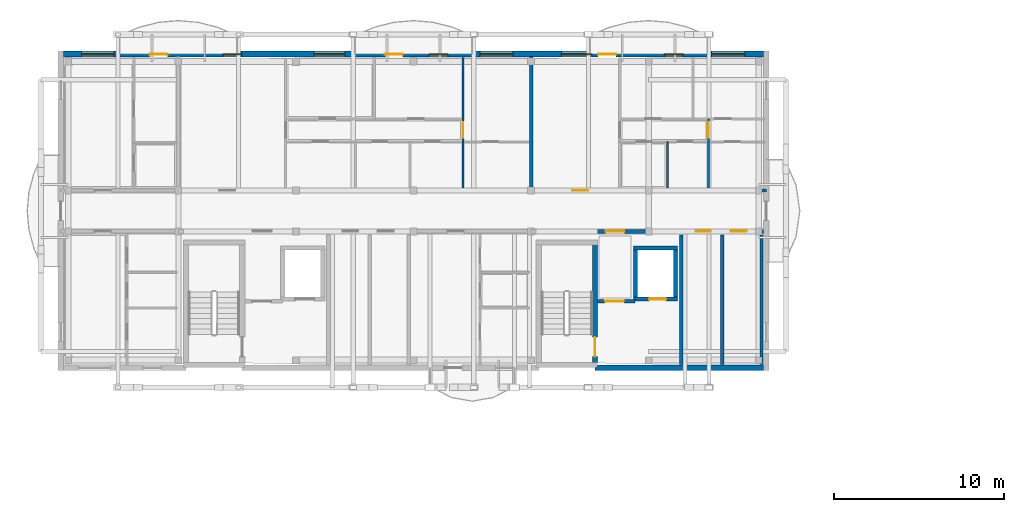
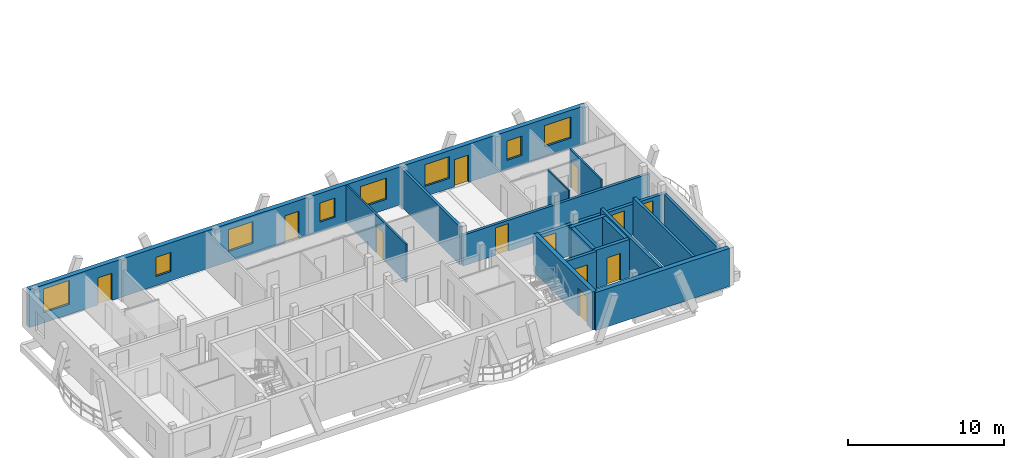
# One storey, part 15 of 21: 17 walls, 12 doors, 8 windows, 20 openings.
"""IFC4 building model written with IfcOpenShell, lengths in metres."""

from ifc_helpers import new_model, si_unit, direction, frame, frame_2d, origin, origin_with_axes, place, context, subcontext, project, spatial, rectangle, extrude, material, layer, layer_set, type_object, element, fill, save


model = new_model("IFC4")

# Units and contexts
model_context = context("Model", 3, precision=1e-05, world=origin(), true_north=direction((0.0, 1.0)))
body_context = subcontext(model_context, "Body", "Model", "MODEL_VIEW")
ifc_project = project(units=[si_unit("LENGTHUNIT", "METRE"), si_unit("AREAUNIT", "SQUARE_METRE"), si_unit("VOLUMEUNIT", "CUBIC_METRE"), si_unit("PLANEANGLEUNIT", "RADIAN"), si_unit("MASSUNIT", "GRAM", prefix="KILO")], contexts=[model_context])

# Site, building, storey
site_placement = place(None, origin())
site = spatial("IfcSite", under=ifc_project, at=site_placement, CompositionType="ELEMENT")
building_placement = place(site_placement, origin())
building = spatial("IfcBuilding", under=site, at=building_placement, Name="Zavelmont Quarter", CompositionType="ELEMENT")
storey_placement = place(building_placement, frame((0.0, 0.0, 36.800048828125)))
storey = spatial("IfcBuildingStorey", under=building, at=storey_placement, Name="L11", CompositionType="ELEMENT", Elevation=36.800048828125)

# Wall
ifc_material_1 = material(Name="Natural Belgian limestone", Category="masonry")
ifc_layer_1 = layer(ifc_material_1, 0.340087890625)
ifc_layer_set_1 = layer_set([ifc_layer_1], Name="Natural Belgian limestone")
wall_type_1 = type_object("IfcWallType", Name="EW03", PredefinedType="STANDARD", material=ifc_layer_set_1)
wall_1_placement = place(storey_placement, frame((31.35009765625, 97.60009765625, 0.0), z_axis=(0.0, 0.0, 1.0), x_axis=(1.0, 0.0, 0.0)))
element("IfcWall", 1, at=wall_1_placement, inside=storey, type_object=wall_type_1, Name="L11 exterior limestone wall EW03", PredefinedType="STANDARD", context=body_context, shape_type="SweptSolid", body=[
    extrude(rectangle(XDim=9.889892578125, YDim=0.340087890625, at=frame_2d((4.94482421875, 0.0))), origin(), (0.0, 0.0, 1.0), 2.969970703125),
])

# Wall, openings, doors, windows
wall_2_placement = place(storey_placement, frame((0.159912109375, 116.0, 0.0), z_axis=(0.0, 0.0, 1.0), x_axis=(1.0, 0.0, 0.0)))
wall_2 = element("IfcWall", 2, at=wall_2_placement, inside=storey, type_object=wall_type_1, Name="L11 exterior limestone wall EW03", PredefinedType="STANDARD", context=body_context, shape_type="SweptSolid", body=[
    extrude(rectangle(XDim=41.080078125, YDim=0.340087890625, at=frame_2d((20.5400390625, 0.0))), origin(), (0.0, 0.0, 1.0), 2.969970703125),
])
opening_1_placement = place(wall_2_placement, frame((5.06005859375, 0.0, 0.0)))
opening_1 = element("IfcOpeningElement", 3, at=opening_1_placement, cuts=wall_2, Name="Opening DR04A", PredefinedType="OPENING", context=body_context, shape_type="SweptSolid", body=[
    extrude(rectangle(XDim=1.050048828125, YDim=2.1201171875, at=frame_2d((0.52490234375, 1.06005859375))), frame((0.0, 0.18212890625, 0.0), z_axis=(0.0, -1.0, 0.0), x_axis=(1.0, 0.0, 0.0)), (0.0, 0.0, 1.0), 0.364013671875),
])
opening_2_placement = place(wall_2_placement, frame((18.860107421875, 0.0, 0.0)))
opening_2 = element("IfcOpeningElement", 4, at=opening_2_placement, cuts=wall_2, Name="Opening DR04A", PredefinedType="OPENING", context=body_context, shape_type="SweptSolid", body=[
    extrude(rectangle(XDim=1.050048828125, YDim=2.1201171875, at=frame_2d((0.52490234375, 1.06005859375))), frame((0.0, 0.18212890625, 0.0), z_axis=(0.0, -1.0, 0.0), x_axis=(1.0, 0.0, 0.0)), (0.0, 0.0, 1.0), 0.364013671875),
])
opening_3_placement = place(wall_2_placement, frame((31.37451171875, 0.0, 0.0)))
opening_3 = element("IfcOpeningElement", 5, at=opening_3_placement, cuts=wall_2, Name="Opening DR04A", PredefinedType="OPENING", context=body_context, shape_type="SweptSolid", body=[
    extrude(rectangle(XDim=1.050048828125, YDim=2.1201171875, at=frame_2d((0.52490234375, 1.06005859375))), frame((0.0, 0.18212890625, 0.0), z_axis=(0.0, -1.0, 0.0), x_axis=(1.0, 0.0, 0.0)), (0.0, 0.0, 1.0), 0.364013671875),
])
opening_4_placement = place(wall_2_placement, frame((1.06005859375, 0.0, 0.800048828125)))
opening_4 = element("IfcOpeningElement", 6, at=opening_4_placement, cuts=wall_2, Name="Opening WN20", PredefinedType="OPENING", context=body_context, shape_type="SweptSolid", body=[
    extrude(rectangle(XDim=1.89990234375, YDim=1.85009765625, at=frame_2d((0.949951171875, 0.925048828125))), frame((0.0, 0.18212890625, 0.0), z_axis=(0.0, -1.0, 0.0), x_axis=(1.0, 0.0, 0.0)), (0.0, 0.0, 1.0), 0.364013671875),
])
opening_5_placement = place(wall_2_placement, frame((9.360107421875, 0.0, 0.719970703125)))
opening_5 = element("IfcOpeningElement", 7, at=opening_5_placement, cuts=wall_2, Name="Opening WN09", PredefinedType="OPENING", context=body_context, shape_type="SweptSolid", body=[
    extrude(rectangle(XDim=1.10009765625, YDim=1.5, at=frame_2d((0.550048828125, 0.75))), frame((0.0, 0.18212890625, 0.0), z_axis=(0.0, -1.0, 0.0), x_axis=(1.0, 0.0, 0.0)), (0.0, 0.0, 1.0), 0.364013671875),
])
opening_6_placement = place(wall_2_placement, frame((14.7099609375, 0.0, 0.800048828125)))
opening_6 = element("IfcOpeningElement", 8, at=opening_6_placement, cuts=wall_2, Name="Opening WN02", PredefinedType="OPENING", context=body_context, shape_type="SweptSolid", body=[
    extrude(rectangle(XDim=1.800048828125, YDim=1.699951171875, at=frame_2d((0.89990234375, 0.85009765625))), frame((0.0, 0.18212890625, 0.0), z_axis=(0.0, -1.0, 0.0), x_axis=(1.0, 0.0, 0.0)), (0.0, 0.0, 1.0), 0.364013671875),
])
opening_7_placement = place(wall_2_placement, frame((21.4599609375, 0.0, 0.719970703125)))
opening_7 = element("IfcOpeningElement", 9, at=opening_7_placement, cuts=wall_2, Name="Opening WN09", PredefinedType="OPENING", context=body_context, shape_type="SweptSolid", body=[
    extrude(rectangle(XDim=1.10009765625, YDim=1.5, at=frame_2d((0.550048828125, 0.75))), frame((0.0, 0.18212890625, 0.0), z_axis=(0.0, -1.0, 0.0), x_axis=(1.0, 0.0, 0.0)), (0.0, 0.0, 1.0), 0.364013671875),
])
opening_8_placement = place(wall_2_placement, frame((24.43505859375, 0.0, 0.800048828125)))
opening_8 = element("IfcOpeningElement", 10, at=opening_8_placement, cuts=wall_2, Name="Opening WN24", PredefinedType="OPENING", context=body_context, shape_type="SweptSolid", body=[
    extrude(rectangle(XDim=1.949951171875, YDim=1.64990234375, at=frame_2d((0.97509765625, 0.824951171875))), frame((0.0, 0.18212890625, 0.0), z_axis=(0.0, -1.0, 0.0), x_axis=(1.0, 0.0, 0.0)), (0.0, 0.0, 1.0), 0.364013671875),
])
opening_9_placement = place(wall_2_placement, frame((29.2099609375, 0.0, 0.800048828125)))
opening_9 = element("IfcOpeningElement", 11, at=opening_9_placement, cuts=wall_2, Name="Opening WN02", PredefinedType="OPENING", context=body_context, shape_type="SweptSolid", body=[
    extrude(rectangle(XDim=1.800048828125, YDim=1.699951171875, at=frame_2d((0.89990234375, 0.85009765625))), frame((0.0, 0.18212890625, 0.0), z_axis=(0.0, -1.0, 0.0), x_axis=(1.0, 0.0, 0.0)), (0.0, 0.0, 1.0), 0.364013671875),
])
opening_10_placement = place(wall_2_placement, frame((35.260009765625, 0.0, 0.719970703125)))
opening_10 = element("IfcOpeningElement", 12, at=opening_10_placement, cuts=wall_2, Name="Opening WN09", PredefinedType="OPENING", context=body_context, shape_type="SweptSolid", body=[
    extrude(rectangle(XDim=1.10009765625, YDim=1.5, at=frame_2d((0.550048828125, 0.75))), frame((0.0, 0.18212890625, 0.0), z_axis=(0.0, -1.0, 0.0), x_axis=(1.0, 0.0, 0.0)), (0.0, 0.0, 1.0), 0.364013671875),
])
opening_11_placement = place(wall_2_placement, frame((38.034912109375, 0.0, 0.800048828125)))
opening_11 = element("IfcOpeningElement", 13, at=opening_11_placement, cuts=wall_2, Name="Opening WN24", PredefinedType="OPENING", context=body_context, shape_type="SweptSolid", body=[
    extrude(rectangle(XDim=1.949951171875, YDim=1.64990234375, at=frame_2d((0.97509765625, 0.824951171875))), frame((0.0, 0.18212890625, 0.0), z_axis=(0.0, -1.0, 0.0), x_axis=(1.0, 0.0, 0.0)), (0.0, 0.0, 1.0), 0.364013671875),
])
ifc_material_2 = material(Name="Thermally broken aluminium and double safety glass", Category="aluminium")
door_type_1 = type_object("IfcDoorType", Name="DR04A", OperationType="NOTDEFINED", PredefinedType="DOOR", material=ifc_material_2)
door_1_placement = place(opening_1_placement, frame((1.050048828125, 0.0, 0.0), z_axis=(0.0, 0.0, 1.0), x_axis=(-1.0, 0.0, 0.0)))
door_1 = element("IfcDoor", 14, at=door_1_placement, inside=storey, type_object=door_type_1, Name="Block B L11 glazed balcony door", OperationType="SINGLE_SWING_LEFT", OverallHeight=2.1201171875, OverallWidth=1.050048828125, PredefinedType="DOOR", context=body_context, shape_type="SweptSolid", body=[
    extrude(rectangle(XDim=1.050048828125, YDim=2.1201171875, at=frame_2d((0.52490234375, 1.06005859375))), frame((0.0, 0.02490234375, 0.0), z_axis=(0.0, -1.0, 0.0), x_axis=(1.0, 0.0, 0.0)), (0.0, 0.0, 1.0), 0.050048828125),
])
fill(opening_1, door_1)
door_2_placement = place(opening_2_placement, frame((1.050048828125, 0.0, 0.0), z_axis=(0.0, 0.0, 1.0), x_axis=(-1.0, 0.0, 0.0)))
door_2 = element("IfcDoor", 15, at=door_2_placement, inside=storey, type_object=door_type_1, Name="Block B L11 glazed balcony door", OperationType="SINGLE_SWING_LEFT", OverallHeight=2.1201171875, OverallWidth=1.050048828125, PredefinedType="DOOR", context=body_context, shape_type="SweptSolid", body=[
    extrude(rectangle(XDim=1.050048828125, YDim=2.1201171875, at=frame_2d((0.52490234375, 1.06005859375))), frame((0.0, 0.02490234375, 0.0), z_axis=(0.0, -1.0, 0.0), x_axis=(1.0, 0.0, 0.0)), (0.0, 0.0, 1.0), 0.050048828125),
])
fill(opening_2, door_2)
door_3_placement = place(opening_3_placement, frame((1.050048828125, 0.0, 0.0), z_axis=(0.0, 0.0, 1.0), x_axis=(-1.0, 0.0, 0.0)))
door_3 = element("IfcDoor", 16, at=door_3_placement, inside=storey, type_object=door_type_1, Name="Block B L11 glazed balcony door", OperationType="SINGLE_SWING_LEFT", OverallHeight=2.1201171875, OverallWidth=1.050048828125, PredefinedType="DOOR", context=body_context, shape_type="SweptSolid", body=[
    extrude(rectangle(XDim=1.050048828125, YDim=2.1201171875, at=frame_2d((0.52490234375, 1.06005859375))), frame((0.0, 0.02490234375, 0.0), z_axis=(0.0, -1.0, 0.0), x_axis=(1.0, 0.0, 0.0)), (0.0, 0.0, 1.0), 0.050048828125),
])
fill(opening_3, door_3)
ifc_material_3 = material(Name="Double low-E insulated glazing in thermally broken aluminium frame", Category="aluminium")
window_type_1 = type_object("IfcWindowType", Name="WN02", PartitioningType="SINGLE_PANEL", PredefinedType="WINDOW", material=ifc_material_3)
window_1_placement = place(opening_6_placement, origin_with_axes())
window_1 = element("IfcWindow", 17, at=window_1_placement, inside=storey, type_object=window_type_1, Name="L11 window WN02", OverallHeight=1.699951171875, OverallWidth=1.800048828125, PartitioningType="SINGLE_PANEL", PredefinedType="WINDOW", context=body_context, shape_type="SweptSolid", body=[
    extrude(rectangle(XDim=1.800048828125, YDim=1.699951171875, at=frame_2d((0.89990234375, 0.85009765625))), frame((0.0, 0.030029296875, 0.0), z_axis=(0.0, -1.0, 0.0), x_axis=(1.0, 0.0, 0.0)), (0.0, 0.0, 1.0), 0.06005859375),
])
fill(opening_6, window_1)
window_2_placement = place(opening_9_placement, origin_with_axes())
window_2 = element("IfcWindow", 18, at=window_2_placement, inside=storey, type_object=window_type_1, Name="L11 window WN02", OverallHeight=1.699951171875, OverallWidth=1.800048828125, PartitioningType="SINGLE_PANEL", PredefinedType="WINDOW", context=body_context, shape_type="SweptSolid", body=[
    extrude(rectangle(XDim=1.800048828125, YDim=1.699951171875, at=frame_2d((0.89990234375, 0.85009765625))), frame((0.0, 0.030029296875, 0.0), z_axis=(0.0, -1.0, 0.0), x_axis=(1.0, 0.0, 0.0)), (0.0, 0.0, 1.0), 0.06005859375),
])
fill(opening_9, window_2)
window_type_2 = type_object("IfcWindowType", Name="WN09", PartitioningType="SINGLE_PANEL", PredefinedType="WINDOW", material=ifc_material_3)
window_3_placement = place(opening_5_placement, origin_with_axes())
window_3 = element("IfcWindow", 19, at=window_3_placement, inside=storey, type_object=window_type_2, Name="L11 window WN09", OverallHeight=1.5, OverallWidth=1.10009765625, PartitioningType="SINGLE_PANEL", PredefinedType="WINDOW", context=body_context, shape_type="SweptSolid", body=[
    extrude(rectangle(XDim=1.10009765625, YDim=1.5, at=frame_2d((0.550048828125, 0.75))), frame((0.0, 0.030029296875, 0.0), z_axis=(0.0, -1.0, 0.0), x_axis=(1.0, 0.0, 0.0)), (0.0, 0.0, 1.0), 0.06005859375),
])
fill(opening_5, window_3)
window_4_placement = place(opening_7_placement, origin_with_axes())
window_4 = element("IfcWindow", 20, at=window_4_placement, inside=storey, type_object=window_type_2, Name="L11 window WN09", OverallHeight=1.5, OverallWidth=1.10009765625, PartitioningType="SINGLE_PANEL", PredefinedType="WINDOW", context=body_context, shape_type="SweptSolid", body=[
    extrude(rectangle(XDim=1.10009765625, YDim=1.5, at=frame_2d((0.550048828125, 0.75))), frame((0.0, 0.030029296875, 0.0), z_axis=(0.0, -1.0, 0.0), x_axis=(1.0, 0.0, 0.0)), (0.0, 0.0, 1.0), 0.06005859375),
])
fill(opening_7, window_4)
window_5_placement = place(opening_10_placement, origin_with_axes())
window_5 = element("IfcWindow", 21, at=window_5_placement, inside=storey, type_object=window_type_2, Name="L11 window WN09", OverallHeight=1.5, OverallWidth=1.10009765625, PartitioningType="SINGLE_PANEL", PredefinedType="WINDOW", context=body_context, shape_type="SweptSolid", body=[
    extrude(rectangle(XDim=1.10009765625, YDim=1.5, at=frame_2d((0.550048828125, 0.75))), frame((0.0, 0.030029296875, 0.0), z_axis=(0.0, -1.0, 0.0), x_axis=(1.0, 0.0, 0.0)), (0.0, 0.0, 1.0), 0.06005859375),
])
fill(opening_10, window_5)
window_type_3 = type_object("IfcWindowType", Name="WN20", PartitioningType="SINGLE_PANEL", PredefinedType="WINDOW", material=ifc_material_3)
window_6_placement = place(opening_4_placement, origin_with_axes())
window_6 = element("IfcWindow", 22, at=window_6_placement, inside=storey, type_object=window_type_3, Name="L11 window WN20", OverallHeight=1.85009765625, OverallWidth=1.89990234375, PartitioningType="SINGLE_PANEL", PredefinedType="WINDOW", context=body_context, shape_type="SweptSolid", body=[
    extrude(rectangle(XDim=1.89990234375, YDim=1.85009765625, at=frame_2d((0.949951171875, 0.925048828125))), frame((0.0, 0.030029296875, 0.0), z_axis=(0.0, -1.0, 0.0), x_axis=(1.0, 0.0, 0.0)), (0.0, 0.0, 1.0), 0.06005859375),
])
fill(opening_4, window_6)
window_type_4 = type_object("IfcWindowType", Name="WN24", PartitioningType="SINGLE_PANEL", PredefinedType="WINDOW", material=ifc_material_3)
window_7_placement = place(opening_8_placement, origin_with_axes())
window_7 = element("IfcWindow", 23, at=window_7_placement, inside=storey, type_object=window_type_4, Name="L11 window WN24", OverallHeight=1.64990234375, OverallWidth=1.949951171875, PartitioningType="SINGLE_PANEL", PredefinedType="WINDOW", context=body_context, shape_type="SweptSolid", body=[
    extrude(rectangle(XDim=1.949951171875, YDim=1.64990234375, at=frame_2d((0.97509765625, 0.824951171875))), frame((0.0, 0.030029296875, 0.0), z_axis=(0.0, -1.0, 0.0), x_axis=(1.0, 0.0, 0.0)), (0.0, 0.0, 1.0), 0.06005859375),
])
fill(opening_8, window_7)
window_8_placement = place(opening_11_placement, origin_with_axes())
window_8 = element("IfcWindow", 24, at=window_8_placement, inside=storey, type_object=window_type_4, Name="L11 window WN24", OverallHeight=1.64990234375, OverallWidth=1.949951171875, PartitioningType="SINGLE_PANEL", PredefinedType="WINDOW", context=body_context, shape_type="SweptSolid", body=[
    extrude(rectangle(XDim=1.949951171875, YDim=1.64990234375, at=frame_2d((0.97509765625, 0.824951171875))), frame((0.0, 0.030029296875, 0.0), z_axis=(0.0, -1.0, 0.0), x_axis=(1.0, 0.0, 0.0)), (0.0, 0.0, 1.0), 0.06005859375),
])
fill(opening_11, window_8)

# Walls
ifc_material_4 = material(Name="Calcium-silicate blockwork and acoustic plaster", Category="masonry")
ifc_layer_2 = layer(ifc_material_4, 0.199951171875)
ifc_layer_set_2 = layer_set([ifc_layer_2], Name="Calcium-silicate blockwork and acoustic plaster")
wall_type_2 = type_object("IfcWallType", Name="IW01", PredefinedType="PARTITIONING", material=ifc_layer_set_2)
wall_3_placement = place(storey_placement, frame((38.824951171875, 97.800048828125, 0.0), z_axis=(0.0, 0.0, 1.0), x_axis=(0.0, 1.0, 0.0)))
element("IfcWall", 25, at=wall_3_placement, inside=storey, type_object=wall_type_2, Name="L11 Service riser divider wall IW01", PredefinedType="PARTITIONING", context=body_context, shape_type="SweptSolid", body=[
    extrude(rectangle(XDim=7.599853515625, YDim=0.199951171875, at=frame_2d((3.7998046875, 0.0))), origin(), (0.0, 0.0, 1.0), 2.969970703125),
])
wall_4_placement = place(storey_placement, frame((41.1201171875, 97.800048828125, 0.0), z_axis=(0.0, 0.0, 1.0), x_axis=(0.0, 1.0, 0.0)))
element("IfcWall", 26, at=wall_4_placement, inside=storey, type_object=wall_type_2, Name="L11 Core service end wall IW01", PredefinedType="PARTITIONING", context=body_context, shape_type="SweptSolid", body=[
    extrude(rectangle(XDim=7.599853515625, YDim=0.199951171875, at=frame_2d((3.7998046875, 0.0))), origin(), (0.0, 0.0, 1.0), 2.409912109375),
])
wall_5_placement = place(storey_placement, frame((27.60009765625, 108.14990234375, 0.0), z_axis=(0.0, 0.0, 1.0), x_axis=(0.0, 1.0, 0.0)))
element("IfcWall", 27, at=wall_5_placement, inside=storey, type_object=wall_type_2, Name="L11 Inter-dwelling compartment wall IW01", PredefinedType="PARTITIONING", context=body_context, shape_type="SweptSolid", body=[
    extrude(rectangle(XDim=7.7001953125, YDim=0.199951171875, at=frame_2d((3.85009765625, 0.0))), origin(), (0.0, 0.0, 1.0), 2.969970703125),
])

# Wall, opening, door
wall_6_placement = place(storey_placement, frame((27.60009765625, 108.0, 0.0), z_axis=(0.0, 0.0, 1.0), x_axis=(1.0, 0.0, 0.0)))
wall_6 = element("IfcWall", 28, at=wall_6_placement, inside=storey, type_object=wall_type_2, Name="L11 Corridor compartment wall IW01", PredefinedType="PARTITIONING", context=body_context, shape_type="SweptSolid", body=[
    extrude(rectangle(XDim=13.7998046875, YDim=0.199951171875, at=frame_2d((6.89990234375, 0.0))), origin(), (0.0, 0.0, 1.0), 2.409912109375),
])
opening_12_placement = place(wall_6_placement, frame((2.39990234375, 0.0, 0.0)))
opening_12 = element("IfcOpeningElement", 29, at=opening_12_placement, cuts=wall_6, Name="Opening DR02", PredefinedType="OPENING", context=body_context, shape_type="SweptSolid", body=[
    extrude(rectangle(XDim=0.949951171875, YDim=2.14990234375, at=frame_2d((0.47509765625, 1.074951171875))), frame((0.0, 0.11181640625, 0.0), z_axis=(0.0, -1.0, 0.0), x_axis=(1.0, 0.0, 0.0)), (0.0, 0.0, 1.0), 0.223876953125),
])
ifc_material_5 = material(Name="Solid-core oak fire leaf in steel frame", Category="steel")
door_type_2 = type_object("IfcDoorType", Name="DR02", OperationType="NOTDEFINED", PredefinedType="DOOR", material=ifc_material_5)
door_4_placement = place(opening_12_placement, origin_with_axes())
door_4 = element("IfcDoor", 30, at=door_4_placement, inside=storey, type_object=door_type_2, Name="L11 door DR02", OperationType="SINGLE_SWING_LEFT", OverallHeight=2.14990234375, OverallWidth=0.949951171875, PredefinedType="DOOR", context=body_context, shape_type="SweptSolid", body=[
    extrude(rectangle(XDim=0.949951171875, YDim=2.14990234375, at=frame_2d((0.47509765625, 1.074951171875))), frame((0.0, 0.02490234375, 0.0), z_axis=(0.0, -1.0, 0.0), x_axis=(1.0, 0.0, 0.0)), (0.0, 0.0, 1.0), 0.050048828125),
])
fill(opening_12, door_4)

# Wall
ifc_material_6 = material(Name="Reinforced masonry fire compartment wall", Category="masonry")
ifc_layer_3 = layer(ifc_material_6, 0.22509765625)
ifc_layer_set_3 = layer_set([ifc_layer_3], Name="Reinforced masonry fire compartment wall")
wall_type_3 = type_object("IfcWallType", Name="IW02", PredefinedType="PARTITIONING", material=ifc_layer_set_3)
wall_7_placement = place(storey_placement, frame((36.409912109375, 97.800048828125, 0.0), z_axis=(0.0, 0.0, 1.0), x_axis=(0.0, 1.0, 0.0)))
element("IfcWall", 31, at=wall_7_placement, inside=storey, type_object=wall_type_3, Name="L11 Firefighting lobby enclosure wall IW02", PredefinedType="PARTITIONING", context=body_context, shape_type="SweptSolid", body=[
    extrude(rectangle(XDim=7.599853515625, YDim=0.22509765625, at=frame_2d((3.7998046875, 0.0))), origin(), (0.0, 0.0, 1.0), 2.969970703125),
])

# Wall, opening, door
wall_8_placement = place(storey_placement, frame((31.5, 101.5, 0.0), z_axis=(0.0, 0.0, 1.0), x_axis=(1.0, 0.0, 0.0)))
wall_8 = element("IfcWall", 32, at=wall_8_placement, inside=storey, type_object=wall_type_3, Name="L11 Firefighting lobby threshold wall IW02", PredefinedType="PARTITIONING", context=body_context, shape_type="SweptSolid", body=[
    extrude(rectangle(XDim=2.199951171875, YDim=0.22509765625, at=frame_2d((1.10009765625, 0.0))), origin(), (0.0, 0.0, 1.0), 2.969970703125),
])
opening_13_placement = place(wall_8_placement, frame((0.449951171875, 0.0, 0.0)))
opening_13 = element("IfcOpeningElement", 33, at=opening_13_placement, cuts=wall_8, Name="Opening DR10", PredefinedType="OPENING", context=body_context, shape_type="SweptSolid", body=[
    extrude(rectangle(XDim=1.10009765625, YDim=2.14990234375, at=frame_2d((0.550048828125, 1.074951171875))), frame((0.0, 0.12451171875, 0.0), z_axis=(0.0, -1.0, 0.0), x_axis=(1.0, 0.0, 0.0)), (0.0, 0.0, 1.0), 0.2490234375),
])
ifc_material_7 = material(Name="Painted steel lobby fire door", Category="steel")
door_type_3 = type_object("IfcDoorType", Name="DR10", OperationType="NOTDEFINED", PredefinedType="DOOR", material=ifc_material_7)
door_5_placement = place(opening_13_placement, frame((1.10009765625, 0.0, 0.0), z_axis=(0.0, 0.0, 1.0), x_axis=(-1.0, 0.0, 0.0)))
door_5 = element("IfcDoor", 34, at=door_5_placement, inside=storey, type_object=door_type_3, Name="Firefighting lobby fire door", OperationType="SINGLE_SWING_RIGHT", OverallHeight=2.14990234375, OverallWidth=1.10009765625, PredefinedType="DOOR", context=body_context, shape_type="SweptSolid", body=[
    extrude(rectangle(XDim=1.10009765625, YDim=2.14990234375, at=frame_2d((0.550048828125, 1.074951171875))), frame((0.0, 0.02490234375, 0.0), z_axis=(0.0, -1.0, 0.0), x_axis=(1.0, 0.0, 0.0)), (0.0, 0.0, 1.0), 0.050048828125),
])
fill(opening_13, door_5)

# Wall, openings, doors
wall_9_placement = place(storey_placement, frame((31.5, 105.60009765625, 0.0), z_axis=(0.0, 0.0, 1.0), x_axis=(1.0, 0.0, 0.0)))
wall_9 = element("IfcWall", 35, at=wall_9_placement, inside=storey, type_object=wall_type_3, Name="L11 Core corridor fire wall IW02", PredefinedType="PARTITIONING", context=body_context, shape_type="SweptSolid", body=[
    extrude(rectangle(XDim=9.75, YDim=0.22509765625, at=frame_2d((4.875, 0.0))), origin(), (0.0, 0.0, 1.0), 2.409912109375),
])
opening_14_placement = place(wall_9_placement, frame((0.47509765625, 0.0, 0.0)))
opening_14 = element("IfcOpeningElement", 36, at=opening_14_placement, cuts=wall_9, Name="Opening DR10", PredefinedType="OPENING", context=body_context, shape_type="SweptSolid", body=[
    extrude(rectangle(XDim=1.10009765625, YDim=2.14990234375, at=frame_2d((0.550048828125, 1.074951171875))), frame((0.0, 0.12451171875, 0.0), z_axis=(0.0, -1.0, 0.0), x_axis=(1.0, 0.0, 0.0)), (0.0, 0.0, 1.0), 0.2490234375),
])
opening_15_placement = place(wall_9_placement, frame((5.75, 0.0, 0.0)))
opening_15 = element("IfcOpeningElement", 37, at=opening_15_placement, cuts=wall_9, Name="Opening DR11", PredefinedType="OPENING", context=body_context, shape_type="SweptSolid", body=[
    extrude(rectangle(XDim=0.89990234375, YDim=2.10009765625, at=frame_2d((0.449951171875, 1.050048828125))), frame((0.0, 0.12451171875, 0.0), z_axis=(0.0, -1.0, 0.0), x_axis=(1.0, 0.0, 0.0)), (0.0, 0.0, 1.0), 0.2490234375),
])
opening_16_placement = place(wall_9_placement, frame((7.800048828125, 0.0, 0.0)))
opening_16 = element("IfcOpeningElement", 38, at=opening_16_placement, cuts=wall_9, Name="Opening DR02", PredefinedType="OPENING", context=body_context, shape_type="SweptSolid", body=[
    extrude(rectangle(XDim=0.949951171875, YDim=2.14990234375, at=frame_2d((0.47509765625, 1.074951171875))), frame((0.0, 0.12451171875, 0.0), z_axis=(0.0, -1.0, 0.0), x_axis=(1.0, 0.0, 0.0)), (0.0, 0.0, 1.0), 0.2490234375),
])
door_6_placement = place(opening_16_placement, origin_with_axes())
door_6 = element("IfcDoor", 39, at=door_6_placement, inside=storey, type_object=door_type_2, Name="Auxiliary store corridor door", OperationType="SINGLE_SWING_RIGHT", OverallHeight=2.14990234375, OverallWidth=0.949951171875, PredefinedType="DOOR", context=body_context, shape_type="SweptSolid", body=[
    extrude(rectangle(XDim=0.949951171875, YDim=2.14990234375, at=frame_2d((0.47509765625, 1.074951171875))), frame((0.0, 0.02490234375, 0.0), z_axis=(0.0, -1.0, 0.0), x_axis=(1.0, 0.0, 0.0)), (0.0, 0.0, 1.0), 0.050048828125),
])
fill(opening_16, door_6)
door_7_placement = place(opening_14_placement, frame((1.10009765625, 0.0, 0.0), z_axis=(0.0, 0.0, 1.0), x_axis=(-1.0, 0.0, 0.0)))
door_7 = element("IfcDoor", 40, at=door_7_placement, inside=storey, type_object=door_type_3, Name="Core vestibule fire door", OperationType="SINGLE_SWING_LEFT", OverallHeight=2.14990234375, OverallWidth=1.10009765625, PredefinedType="DOOR", context=body_context, shape_type="SweptSolid", body=[
    extrude(rectangle(XDim=1.10009765625, YDim=2.14990234375, at=frame_2d((0.550048828125, 1.074951171875))), frame((0.0, 0.02490234375, 0.0), z_axis=(0.0, -1.0, 0.0), x_axis=(1.0, 0.0, 0.0)), (0.0, 0.0, 1.0), 0.050048828125),
])
fill(opening_14, door_7)
ifc_material_8 = material(Name="Painted steel service-riser fire door", Category="steel")
door_type_4 = type_object("IfcDoorType", Name="DR11", OperationType="NOTDEFINED", PredefinedType="DOOR", material=ifc_material_8)
door_8_placement = place(opening_15_placement, origin_with_axes())
door_8 = element("IfcDoor", 41, at=door_8_placement, inside=storey, type_object=door_type_4, Name="Service riser fire door", OperationType="SINGLE_SWING_LEFT", OverallHeight=2.10009765625, OverallWidth=0.89990234375, PredefinedType="DOOR", context=body_context, shape_type="SweptSolid", body=[
    extrude(rectangle(XDim=0.89990234375, YDim=2.10009765625, at=frame_2d((0.449951171875, 1.050048828125))), frame((0.0, 0.02490234375, 0.0), z_axis=(0.0, -1.0, 0.0), x_axis=(1.0, 0.0, 0.0)), (0.0, 0.0, 1.0), 0.050048828125),
])
fill(opening_15, door_8)

# Wall, opening, door
ifc_material_9 = material(Name="Double gypsum board on acoustic steel stud", Category="steel")
ifc_layer_4 = layer(ifc_material_9, 0.125)
ifc_layer_set_4 = layer_set([ifc_layer_4], Name="Double gypsum board on acoustic steel stud")
wall_type_4 = type_object("IfcWallType", Name="IW03", PredefinedType="PARTITIONING", material=ifc_layer_set_4)
wall_10_placement = place(storey_placement, frame((23.60009765625, 108.14990234375, 0.0), z_axis=(0.0, 0.0, 1.0), x_axis=(0.0, 1.0, 0.0)))
wall_10 = element("IfcWall", 42, at=wall_10_placement, inside=storey, type_object=wall_type_4, Name="L11 Partition IW03", PredefinedType="PARTITIONING", context=body_context, shape_type="SweptSolid", body=[
    extrude(rectangle(XDim=7.650146484375, YDim=0.125, at=frame_2d((3.8251953125, 0.0))), origin(), (0.0, 0.0, 1.0), 2.969970703125),
])
opening_17_placement = place(wall_10_placement, frame((2.949951171875, 0.0, 0.0)))
opening_17 = element("IfcOpeningElement", 43, at=opening_17_placement, cuts=wall_10, Name="Opening DR05", PredefinedType="OPENING", context=body_context, shape_type="SweptSolid", body=[
    extrude(rectangle(XDim=0.89990234375, YDim=2.10009765625, at=frame_2d((0.449951171875, 1.050048828125))), frame((0.0, 0.074462890625, 0.0), z_axis=(0.0, -1.0, 0.0), x_axis=(1.0, 0.0, 0.0)), (0.0, 0.0, 1.0), 0.14892578125),
])
ifc_material_10 = material(Name="Engineered oak flush interior door")
door_type_5 = type_object("IfcDoorType", Name="DR05", OperationType="NOTDEFINED", PredefinedType="DOOR", material=ifc_material_10)
door_9_placement = place(opening_17_placement, frame((0.89990234375, 0.0, 0.0), z_axis=(0.0, 0.0, 1.0), x_axis=(-1.0, 0.0, 0.0)))
door_9 = element("IfcDoor", 44, at=door_9_placement, inside=storey, type_object=door_type_5, Name="L11 door DR05", OperationType="SINGLE_SWING_RIGHT", OverallHeight=2.10009765625, OverallWidth=0.89990234375, PredefinedType="DOOR", context=body_context, shape_type="SweptSolid", body=[
    extrude(rectangle(XDim=0.89990234375, YDim=2.10009765625, at=frame_2d((0.449951171875, 1.050048828125))), frame((0.0, 0.02490234375, 0.0), z_axis=(0.0, -1.0, 0.0), x_axis=(1.0, 0.0, 0.0)), (0.0, 0.0, 1.0), 0.050048828125),
])
fill(opening_17, door_9)

wall_11_placement = place(storey_placement, frame((38.0, 108.14990234375, 0.0), z_axis=(0.0, 0.0, 1.0), x_axis=(0.0, 1.0, 0.0)))
wall_11 = element("IfcWall", 45, at=wall_11_placement, inside=storey, type_object=wall_type_4, Name="L11 Partition IW03", PredefinedType="PARTITIONING", context=body_context, shape_type="SweptSolid", body=[
    extrude(rectangle(XDim=4.050048828125, YDim=0.125, at=frame_2d((2.02490234375, 0.0))), origin(), (0.0, 0.0, 1.0), 2.969970703125),
])
opening_18_placement = place(wall_11_placement, frame((2.949951171875, 0.0, 0.0)))
opening_18 = element("IfcOpeningElement", 46, at=opening_18_placement, cuts=wall_11, Name="Opening DR05", PredefinedType="OPENING", context=body_context, shape_type="SweptSolid", body=[
    extrude(rectangle(XDim=0.89990234375, YDim=2.10009765625, at=frame_2d((0.449951171875, 1.050048828125))), frame((0.0, 0.074462890625, 0.0), z_axis=(0.0, -1.0, 0.0), x_axis=(1.0, 0.0, 0.0)), (0.0, 0.0, 1.0), 0.14892578125),
])
door_10_placement = place(opening_18_placement, origin_with_axes())
door_10 = element("IfcDoor", 47, at=door_10_placement, inside=storey, type_object=door_type_5, Name="L11 door DR05", OperationType="SINGLE_SWING_RIGHT", OverallHeight=2.10009765625, OverallWidth=0.89990234375, PredefinedType="DOOR", context=body_context, shape_type="SweptSolid", body=[
    extrude(rectangle(XDim=0.89990234375, YDim=2.10009765625, at=frame_2d((0.449951171875, 1.050048828125))), frame((0.0, 0.02490234375, 0.0), z_axis=(0.0, -1.0, 0.0), x_axis=(1.0, 0.0, 0.0)), (0.0, 0.0, 1.0), 0.050048828125),
])
fill(opening_18, door_10)

# Wall
ifc_material_11 = material(Name="Moisture-resistant gypsum board on steel stud", Category="steel")
ifc_layer_5 = layer(ifc_material_11, 0.10009765625)
ifc_layer_set_5 = layer_set([ifc_layer_5], Name="Moisture-resistant gypsum board on steel stud")
wall_type_5 = type_object("IfcWallType", Name="IW04", PredefinedType="PARTITIONING", material=ifc_layer_set_5)
wall_12_placement = place(storey_placement, frame((35.60009765625, 108.14990234375, 0.0), z_axis=(0.0, 0.0, 1.0), x_axis=(0.0, 1.0, 0.0)))
element("IfcWall", 48, at=wall_12_placement, inside=storey, type_object=wall_type_5, Name="L11 Partition IW04", PredefinedType="PARTITIONING", context=body_context, shape_type="SweptSolid", body=[
    extrude(rectangle(XDim=2.7001953125, YDim=0.10009765625, at=frame_2d((1.35009765625, 0.0))), origin(), (0.0, 0.0, 1.0), 2.969970703125),
])

# Wall, opening, door
ifc_material_12 = material(Name="Concrete C40/50", Category="concrete")
ifc_layer_6 = layer(ifc_material_12, 0.300048828125)
ifc_layer_set_6 = layer_set([ifc_layer_6], Name="Concrete C40/50")
wall_type_6 = type_object("IfcWallType", Name="SW01", PredefinedType="SHEAR", material=ifc_layer_set_6)
wall_13_placement = place(storey_placement, frame((31.35009765625, 97.60009765625, 0.0), z_axis=(0.0, 0.0, 1.0), x_axis=(0.0, 1.0, 0.0)))
wall_13 = element("IfcWall", 49, at=wall_13_placement, inside=storey, type_object=wall_type_6, Name="L11 ST04 lobby shear wall SW01", PredefinedType="SHEAR", context=body_context, shape_type="SweptSolid", body=[
    extrude(rectangle(XDim=7.5, YDim=0.300048828125, at=frame_2d((3.75, 0.0))), origin(), (0.0, 0.0, 1.0), 2.969970703125),
])
opening_19_placement = place(wall_13_placement, frame((0.64990234375, 0.0, 0.0)))
opening_19 = element("IfcOpeningElement", 50, at=opening_19_placement, cuts=wall_13, Name="Opening DR09", PredefinedType="OPENING", context=body_context, shape_type="SweptSolid", body=[
    extrude(rectangle(XDim=1.14990234375, YDim=2.14990234375, at=frame_2d((0.574951171875, 1.074951171875))), frame((0.0, 0.162109375, 0.0), z_axis=(0.0, -1.0, 0.0), x_axis=(1.0, 0.0, 0.0)), (0.0, 0.0, 1.0), 0.323974609375),
])
ifc_material_13 = material(Name="Painted steel stair-core fire door", Category="steel")
door_type_6 = type_object("IfcDoorType", Name="DR09", OperationType="NOTDEFINED", PredefinedType="DOOR", material=ifc_material_13)
door_11_placement = place(opening_19_placement, origin_with_axes())
door_11 = element("IfcDoor", 51, at=door_11_placement, inside=storey, type_object=door_type_6, Name="ST04 protected stair door", OperationType="SINGLE_SWING_RIGHT", OverallHeight=2.14990234375, OverallWidth=1.14990234375, PredefinedType="DOOR", context=body_context, shape_type="SweptSolid", body=[
    extrude(rectangle(XDim=1.14990234375, YDim=2.14990234375, at=frame_2d((0.574951171875, 1.074951171875))), frame((0.0, 0.02490234375, 0.0), z_axis=(0.0, -1.0, 0.0), x_axis=(1.0, 0.0, 0.0)), (0.0, 0.0, 1.0), 0.050048828125),
])
fill(opening_19, door_11)

ifc_layer_7 = layer(ifc_material_12, 0.25)
ifc_layer_set_7 = layer_set([ifc_layer_7], Name="Concrete C40/50")
wall_type_7 = type_object("IfcWallType", Name="SW02", PredefinedType="SHEAR", material=ifc_layer_set_7)
wall_14_placement = place(storey_placement, frame((33.60009765625, 101.625, 0.0), z_axis=(0.0, 0.0, 1.0), x_axis=(1.0, 0.0, 0.0)))
wall_14 = element("IfcWall", 52, at=wall_14_placement, inside=storey, type_object=wall_type_7, Name="L11 Lift LF04 landing shaft wall SW02", PredefinedType="SHEAR", context=body_context, shape_type="SweptSolid", body=[
    extrude(rectangle(XDim=2.599853515625, YDim=0.25, at=frame_2d((1.2998046875, 0.0))), origin(), (0.0, 0.0, 1.0), 2.969970703125),
])
opening_20_placement = place(wall_14_placement, frame((0.925048828125, 0.0, 0.0)))
opening_20 = element("IfcOpeningElement", 53, at=opening_20_placement, cuts=wall_14, Name="Opening LD01", PredefinedType="OPENING", context=body_context, shape_type="SweptSolid", body=[
    extrude(rectangle(XDim=1.0, YDim=2.10009765625, at=frame_2d((0.5, 1.050048828125))), frame((0.0, 0.136962890625, 0.0), z_axis=(0.0, -1.0, 0.0), x_axis=(1.0, 0.0, 0.0)), (0.0, 0.0, 1.0), 0.27392578125),
])
ifc_material_14 = material(Name="Brushed stainless-steel automatic sliding landing door", Category="steel")
door_type_7 = type_object("IfcDoorType", Name="LD01", OperationType="SLIDING_TO_LEFT", PredefinedType="DOOR", material=ifc_material_14)
door_12_placement = place(opening_20_placement, origin_with_axes())
door_12 = element("IfcDoor", 54, at=door_12_placement, inside=storey, type_object=door_type_7, Name="Lift LF04 sliding landing door", OperationType="SLIDING_TO_LEFT", OverallHeight=2.10009765625, OverallWidth=1.0, PredefinedType="DOOR", context=body_context, shape_type="SweptSolid", body=[
    extrude(rectangle(XDim=1.0, YDim=2.10009765625, at=frame_2d((0.5, 1.050048828125))), frame((0.0, 0.02490234375, 0.0), z_axis=(0.0, -1.0, 0.0), x_axis=(1.0, 0.0, 0.0)), (0.0, 0.0, 1.0), 0.050048828125),
])
fill(opening_20, door_12)

# Walls
wall_15_placement = place(storey_placement, frame((33.60009765625, 104.625, 0.0), z_axis=(0.0, 0.0, 1.0), x_axis=(1.0, 0.0, 0.0)))
element("IfcWall", 55, at=wall_15_placement, inside=storey, type_object=wall_type_7, Name="L11 Lift LF04 back shaft wall SW02", PredefinedType="SHEAR", context=body_context, shape_type="SweptSolid", body=[
    extrude(rectangle(XDim=2.599853515625, YDim=0.25, at=frame_2d((1.2998046875, 0.0))), origin(), (0.0, 0.0, 1.0), 2.969970703125),
])
for number, where, z_axis, x_axis, name in (
    (56, (33.72509765625, 101.5, 0.0), (0.0, 0.0, 1.0), (0.0, 1.0, 0.0), "L11 Lift LF04 west shaft wall SW02"),
    (57, (36.074951171875, 101.5, 0.0), (0.0, 0.0, 1.0), (0.0, 1.0, 0.0), "L11 Lift LF04 east shaft wall SW02"),
):
    element("IfcWall", number, at=place(storey_placement, frame(where, z_axis=z_axis, x_axis=x_axis)), inside=storey, type_object=wall_type_7, Name=name, PredefinedType="SHEAR", context=body_context, shape_type="SweptSolid", body=[
        extrude(rectangle(XDim=3.25, YDim=0.25, at=frame_2d((1.625, 0.0))), origin(), (0.0, 0.0, 1.0), 2.969970703125),
    ])

save(model, "model.ifc")
